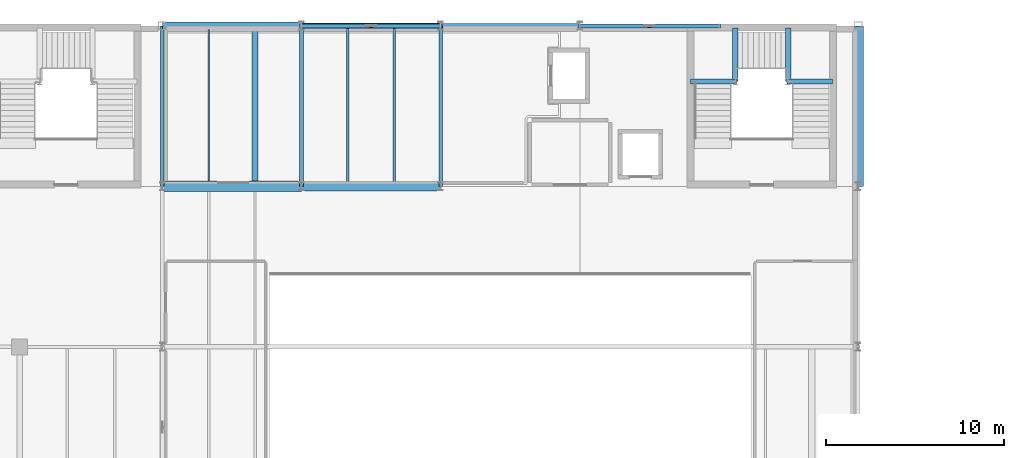
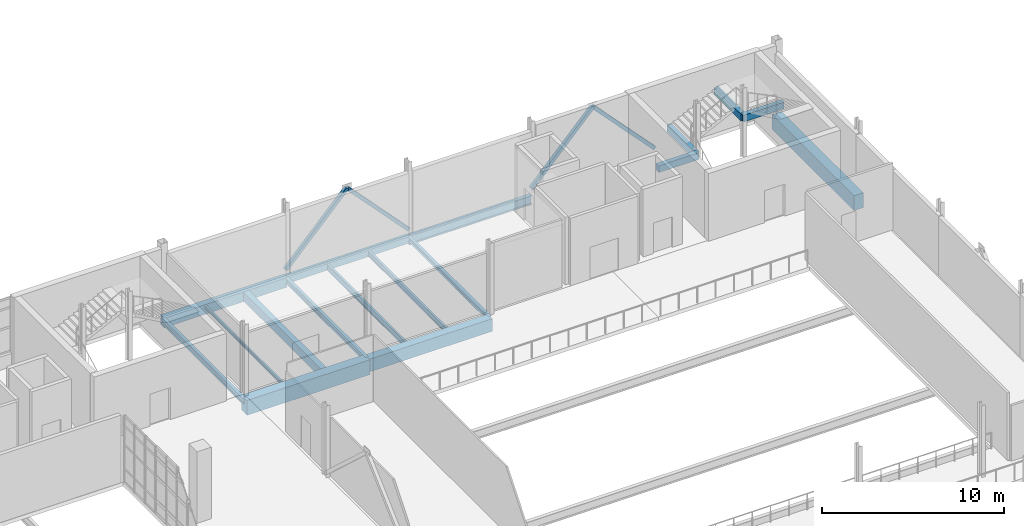
# One storey, part 48 of 100: 17 beams, 4 members.
"""IFC4 building model written with IfcOpenShell, lengths in metres."""

from ifc_helpers import new_model, si_unit, derived_unit, direction, frame, origin, origin_2d, place, context, subcontext, project, spatial, rectangle, hollow_rectangle, i_section, extrude, material, material_profile, profile_set, type_object, element, save


model = new_model("IFC4")

# Units and contexts
model_context = context("Model", 3, precision=1e-05, world=origin(), true_north=direction((0.0, 1.0)))
body_context = subcontext(model_context, "Body", "Model", "MODEL_VIEW")
ifc_project = project(units=[si_unit("LENGTHUNIT", "METRE"), si_unit("AREAUNIT", "SQUARE_METRE"), si_unit("VOLUMEUNIT", "CUBIC_METRE"), si_unit("PLANEANGLEUNIT", "RADIAN"), si_unit("MASSUNIT", "GRAM", prefix="KILO"), derived_unit("THERMALTRANSMITTANCEUNIT", [(si_unit("POWERUNIT", "WATT"), 1), (si_unit("LENGTHUNIT", "METRE"), -2), (si_unit("THERMODYNAMICTEMPERATUREUNIT", "KELVIN"), -1)])], contexts=[model_context])

# Site, building, storey
site_placement = place(None, origin())
site = spatial("IfcSite", under=ifc_project, at=site_placement, CompositionType="ELEMENT")
building_placement = place(site_placement, origin())
building = spatial("IfcBuilding", under=site, at=building_placement, Name="Nallur Shell Playhouse", CompositionType="ELEMENT")
storey_placement = place(building_placement, frame((0.0, 0.0, 10.199951171875)))
storey = spatial("IfcBuildingStorey", under=building, at=storey_placement, Name="L03", CompositionType="ELEMENT", Elevation=10.199951171875)

# Beams
ifc_material_1 = material(Name="Steel E250", Category="steel")
ifc_material_profile_1 = material_profile(ifc_material_1, i_section(OverallWidth=0.110107421875, OverallDepth=0.22509765625, WebThickness=0.006591796875, FlangeThickness=0.01171875, FilletRadius=0.011962890625, at=origin_2d()), Name="ISMB 225")
ifc_profile_set_1 = profile_set([ifc_material_profile_1], Name="Steel E250")
beam_type_1 = type_object("IfcBeamType", Name="BM-JST-ISMB225", PredefinedType="JOIST", material=ifc_profile_set_1)
beam_1_placement = place(storey_placement, frame((66.60009765625, 74.298095703125, -0.37255859375), z_axis=(0.0, 1.0, 0.0), x_axis=(-1.0, 0.0, 0.0)))
element("IfcBeam", 1, at=beam_1_placement, inside=storey, type_object=beam_type_1, Name="L03 secondary joist 8-J-731", PredefinedType="JOIST", context=body_context, shape_type="SweptSolid", body=[
    extrude(i_section(OverallWidth=0.110107421875, OverallDepth=0.22509765625, WebThickness=0.006591796875, FlangeThickness=0.01171875, FilletRadius=0.011962890625, at=origin_2d()), origin(), (0.0, 0.0, 1.0), 8.50390625),
])
ifc_material_profile_2 = material_profile(ifc_material_1, i_section(OverallWidth=0.139892578125, OverallDepth=0.35009765625, WebThickness=0.008056640625, FlangeThickness=0.01416015625, FilletRadius=0.013916015625, at=origin_2d()), Name="ISMB 350")
ifc_profile_set_2 = profile_set([ifc_material_profile_2], Name="Steel E250")
beam_type_2 = type_object("IfcBeamType", Name="BM-JST-ISMB350", PredefinedType="JOIST", material=ifc_profile_set_2)
beam_2_placement = place(storey_placement, frame((77.0, 74.248046875, -0.43505859375), z_axis=(0.0, 1.0, 0.0), x_axis=(-1.0, 0.0, 0.0)))
element("IfcBeam", 2, at=beam_2_placement, inside=storey, type_object=beam_type_2, Name="L03 secondary joist 9-J-734", PredefinedType="JOIST", context=body_context, shape_type="SweptSolid", body=[
    extrude(i_section(OverallWidth=0.139892578125, OverallDepth=0.35009765625, WebThickness=0.008056640625, FlangeThickness=0.01416015625, FilletRadius=0.013916015625, at=origin_2d()), origin(), (0.0, 0.0, 1.0), 8.60400390625),
])
ifc_material_profile_3 = material_profile(ifc_material_1, i_section(OverallWidth=0.139892578125, OverallDepth=0.39990234375, WebThickness=0.0087890625, FlangeThickness=0.01611328125, FilletRadius=0.013916015625, at=origin_2d()), Name="ISMB 400")
ifc_profile_set_3 = profile_set([ifc_material_profile_3], Name="Steel E250")
beam_type_3 = type_object("IfcBeamType", Name="BM-JST-ISMB400", PredefinedType="JOIST", material=ifc_profile_set_3)
beam_3_placement = place(storey_placement, frame((74.39990234375, 74.248046875, -0.4599609375), z_axis=(0.0, 1.0, 0.0), x_axis=(-1.0, 0.0, 0.0)))
element("IfcBeam", 3, at=beam_3_placement, inside=storey, type_object=beam_type_3, Name="L03 secondary joist 9-J-733", PredefinedType="JOIST", context=body_context, shape_type="SweptSolid", body=[
    extrude(i_section(OverallWidth=0.139892578125, OverallDepth=0.39990234375, WebThickness=0.0087890625, FlangeThickness=0.01611328125, FilletRadius=0.013916015625, at=origin_2d()), origin(), (0.0, 0.0, 1.0), 8.60400390625),
])
ifc_material_2 = material(Name="Concrete M30", Category="concrete")
ifc_material_profile_4 = material_profile(ifc_material_2, rectangle(XDim=0.35009765625, YDim=0.60009765625, at=origin_2d()), Name="RC 350x600")
ifc_profile_set_4 = profile_set([ifc_material_profile_4], Name="Concrete M30")
beam_type_4 = type_object("IfcBeamType", Name="BM-RC-350x600", PredefinedType="JOIST", material=ifc_profile_set_4)
beam_4_placement = place(storey_placement, frame((69.199951171875, 74.298095703125, -0.56005859375), z_axis=(0.0, 1.0, 0.0), x_axis=(-1.0, 0.0, 0.0)))
element("IfcBeam", 4, at=beam_4_placement, inside=storey, type_object=beam_type_4, Name="L03 secondary joist 8-J-732", PredefinedType="JOIST", context=body_context, shape_type="SweptSolid", body=[
    extrude(rectangle(XDim=0.35009765625, YDim=0.60009765625, at=origin_2d()), origin(), (0.0, 0.0, 1.0), 8.50390625),
])
ifc_material_3 = material(Name="Concrete M35", Category="concrete")
ifc_material_profile_5 = material_profile(ifc_material_3, rectangle(XDim=0.39990234375, YDim=0.64990234375, at=origin_2d()), Name="RC 400x650")
ifc_profile_set_5 = profile_set([ifc_material_profile_5], Name="Concrete M35")
beam_type_5 = type_object("IfcBeamType", Name="BM-RC-400x650", PredefinedType="BEAM", material=ifc_profile_set_5)
beam_5_placement = place(storey_placement, frame((64.0, 83.0, -0.5849609375), z_axis=(1.0, 0.0, 0.0), x_axis=(0.0, 1.0, 0.0)))
element("IfcBeam", 5, at=beam_5_placement, inside=storey, type_object=beam_type_5, Name="L03 girder X-K-623", PredefinedType="BEAM", context=body_context, shape_type="SweptSolid", body=[
    extrude(rectangle(XDim=0.39990234375, YDim=0.64990234375, at=origin_2d()), origin(), (0.0, 0.0, 1.0), 7.800048828125),
])
ifc_material_4 = material(Name="Concrete M40", Category="concrete")
ifc_material_profile_6 = material_profile(ifc_material_4, rectangle(XDim=0.5, YDim=0.85009765625, at=origin_2d()), Name="RC 500x850")
ifc_profile_set_6 = profile_set([ifc_material_profile_6], Name="Concrete M40")
beam_type_6 = type_object("IfcBeamType", Name="BM-RC-500x850", PredefinedType="BEAM", material=ifc_profile_set_6)
beam_6_placement = place(storey_placement, frame((71.800048828125, 74.0, -0.68505859375), z_axis=(1.0, 0.0, 0.0), x_axis=(0.0, 1.0, 0.0)))
element("IfcBeam", 6, at=beam_6_placement, inside=storey, type_object=beam_type_6, Name="L03 girder X-J-621", PredefinedType="BEAM", context=body_context, shape_type="SweptSolid", body=[
    extrude(rectangle(XDim=0.5, YDim=0.85009765625, at=origin_2d()), origin(), (0.0, 0.0, 1.0), 7.800048828125),
])
ifc_material_profile_7 = material_profile(ifc_material_4, rectangle(XDim=0.60009765625, YDim=1.0, at=origin_2d()), Name="RC 600x1000")
ifc_profile_set_7 = profile_set([ifc_material_profile_7], Name="Concrete M40")
beam_type_7 = type_object("IfcBeamType", Name="BM-RC-600x1000", PredefinedType="BEAM", material=ifc_profile_set_7)
beam_7_placement = place(storey_placement, frame((64.0, 74.0, -0.760009765625), z_axis=(1.0, 0.0, 0.0), x_axis=(0.0, 1.0, 0.0)))
element("IfcBeam", 7, at=beam_7_placement, inside=storey, type_object=beam_type_7, Name="L03 girder X-J-620", PredefinedType="BEAM", context=body_context, shape_type="SweptSolid", body=[
    extrude(rectangle(XDim=0.60009765625, YDim=1.0, at=origin_2d()), origin(), (0.0, 0.0, 1.0), 7.800048828125),
])
beam_8_placement = place(storey_placement, frame((103.0, 74.0, -0.760009765625), z_axis=(0.0, 1.0, 0.0), x_axis=(-1.0, 0.0, 0.0)))
element("IfcBeam", 8, at=beam_8_placement, inside=storey, type_object=beam_type_7, Name="L03 girder Y-13-668", PredefinedType="BEAM", context=body_context, shape_type="SweptSolid", body=[
    extrude(rectangle(XDim=0.60009765625, YDim=1.0, at=origin_2d()), origin(), (0.0, 0.0, 1.0), 9.0),
])
ifc_material_profile_8 = material_profile(ifc_material_3, rectangle(XDim=0.300048828125, YDim=0.449951171875, at=origin_2d()), Name="RC 300x450")
ifc_profile_set_8 = profile_set([ifc_material_profile_8], Name="Concrete M35")
beam_type_8 = type_object("IfcBeamType", Name="BM-SPN-300x450", PredefinedType="SPANDREL", material=ifc_profile_set_8)
beam_9_placement = place(storey_placement, frame((71.800048828125, 83.0, -0.48486328125), z_axis=(1.0, 0.0, 0.0), x_axis=(0.0, 1.0, 0.0)))
element("IfcBeam", 9, at=beam_9_placement, inside=storey, type_object=beam_type_8, Name="L03 girder X-K-624", PredefinedType="SPANDREL", context=body_context, shape_type="SweptSolid", body=[
    extrude(rectangle(XDim=0.300048828125, YDim=0.449951171875, at=origin_2d()), origin(), (0.0, 0.0, 1.0), 7.800048828125),
])
beam_10_placement = place(storey_placement, frame((93.6201171875, 79.8798828125, 1.22509765625), z_axis=(1.0, 0.0, 0.0), x_axis=(0.0, 1.0, 0.0)))
element("IfcBeam", 10, at=beam_10_placement, inside=storey, type_object=beam_type_8, Name="Stair ST-04-L03 L1 south bearer beam", PredefinedType="SPANDREL", context=body_context, shape_type="SweptSolid", body=[
    extrude(rectangle(XDim=0.300048828125, YDim=0.449951171875, at=origin_2d()), origin(), (0.0, 0.0, 1.0), 2.559814453125),
])
beam_11_placement = place(storey_placement, frame((96.1201171875, 79.8798828125, 1.22509765625), z_axis=(0.0, 1.0, 0.0), x_axis=(-1.0, 0.0, 0.0)))
element("IfcBeam", 11, at=beam_11_placement, inside=storey, type_object=beam_type_8, Name="Stair ST-04-L03 L1 east bearer beam", PredefinedType="SPANDREL", context=body_context, shape_type="SweptSolid", body=[
    extrude(rectangle(XDim=0.300048828125, YDim=0.449951171875, at=origin_2d()), origin(), (0.0, 0.0, 1.0), 3.0),
])
beam_12_placement = place(storey_placement, frame((99.02001953125, 79.8798828125, 2.72509765625), z_axis=(1.0, 0.0, 0.0), x_axis=(0.0, 1.0, 0.0)))
element("IfcBeam", 12, at=beam_12_placement, inside=storey, type_object=beam_type_8, Name="Stair ST-04-L03 L2 south bearer beam", PredefinedType="SPANDREL", context=body_context, shape_type="SweptSolid", body=[
    extrude(rectangle(XDim=0.300048828125, YDim=0.449951171875, at=origin_2d()), origin(), (0.0, 0.0, 1.0), 2.56005859375),
])
beam_13_placement = place(storey_placement, frame((99.080078125, 79.8798828125, 2.72509765625), z_axis=(0.0, 1.0, 0.0), x_axis=(-1.0, 0.0, 0.0)))
element("IfcBeam", 13, at=beam_13_placement, inside=storey, type_object=beam_type_8, Name="Stair ST-04-L03 L2 west bearer beam", PredefinedType="SPANDREL", context=body_context, shape_type="SweptSolid", body=[
    extrude(rectangle(XDim=0.300048828125, YDim=0.449951171875, at=origin_2d()), origin(), (0.0, 0.0, 1.0), 3.0),
])
ifc_material_profile_9 = material_profile(ifc_material_1, i_section(OverallWidth=0.199951171875, OverallDepth=0.300048828125, WebThickness=0.00732421875, FlangeThickness=0.010009765625, FilletRadius=0.010986328125, at=origin_2d()), Name="ISWB 300")
ifc_profile_set_9 = profile_set([ifc_material_profile_9], Name="Steel E250")
beam_type_9 = type_object("IfcBeamType", Name="BM-ST-ISWB300", PredefinedType="BEAM", material=ifc_profile_set_9)
beam_14_placement = place(storey_placement, frame((79.60009765625, 74.0, -0.409912109375), z_axis=(0.0, 1.0, 0.0), x_axis=(-1.0, 0.0, 0.0)))
element("IfcBeam", 14, at=beam_14_placement, inside=storey, type_object=beam_type_9, Name="L03 girder Y-10-663", PredefinedType="BEAM", context=body_context, shape_type="SweptSolid", body=[
    extrude(i_section(OverallWidth=0.199951171875, OverallDepth=0.300048828125, WebThickness=0.00732421875, FlangeThickness=0.010009765625, FilletRadius=0.010986328125, at=origin_2d()), origin(), (0.0, 0.0, 1.0), 9.0),
])
ifc_material_5 = material(Name="Steel E350", Category="steel")
ifc_material_profile_10 = material_profile(ifc_material_5, i_section(OverallWidth=0.199951171875, OverallDepth=0.35009765625, WebThickness=0.008056640625, FlangeThickness=0.011474609375, FilletRadius=0.011962890625, at=origin_2d()), Name="ISWB 350")
ifc_profile_set_10 = profile_set([ifc_material_profile_10], Name="Steel E350")
beam_type_10 = type_object("IfcBeamType", Name="BM-ST-ISWB350", PredefinedType="BEAM", material=ifc_profile_set_10)
beam_15_placement = place(storey_placement, frame((71.800048828125, 74.0, -0.43505859375), z_axis=(0.0, 1.0, 0.0), x_axis=(-1.0, 0.0, 0.0)))
element("IfcBeam", 15, at=beam_15_placement, inside=storey, type_object=beam_type_10, Name="L03 girder Y-9-662", PredefinedType="BEAM", context=body_context, shape_type="SweptSolid", body=[
    extrude(i_section(OverallWidth=0.199951171875, OverallDepth=0.35009765625, WebThickness=0.008056640625, FlangeThickness=0.011474609375, FilletRadius=0.011962890625, at=origin_2d()), origin(), (0.0, 0.0, 1.0), 9.0),
])
ifc_material_profile_11 = material_profile(ifc_material_5, i_section(OverallWidth=0.199951171875, OverallDepth=0.39990234375, WebThickness=0.008544921875, FlangeThickness=0.012939453125, FilletRadius=0.012939453125, at=origin_2d()), Name="ISWB 400")
ifc_profile_set_11 = profile_set([ifc_material_profile_11], Name="Steel E350")
beam_type_11 = type_object("IfcBeamType", Name="BM-ST-ISWB400", PredefinedType="BEAM", material=ifc_profile_set_11)
beam_16_placement = place(storey_placement, frame((64.0, 74.0, -0.4599609375), z_axis=(0.0, 1.0, 0.0), x_axis=(-1.0, 0.0, 0.0)))
element("IfcBeam", 16, at=beam_16_placement, inside=storey, type_object=beam_type_11, Name="L03 girder Y-8-661", PredefinedType="BEAM", context=body_context, shape_type="SweptSolid", body=[
    extrude(i_section(OverallWidth=0.199951171875, OverallDepth=0.39990234375, WebThickness=0.008544921875, FlangeThickness=0.012939453125, FilletRadius=0.012939453125, at=origin_2d()), origin(), (0.0, 0.0, 1.0), 9.0),
])
ifc_material_profile_12 = material_profile(ifc_material_5, i_section(OverallWidth=0.25, OverallDepth=0.60009765625, WebThickness=0.01171875, FlangeThickness=0.023681640625, FilletRadius=0.01708984375, at=origin_2d()), Name="ISWB 600")
ifc_profile_set_12 = profile_set([ifc_material_profile_12], Name="Steel E350")
beam_type_12 = type_object("IfcBeamType", Name="BM-ST-ISWB600", PredefinedType="BEAM", material=ifc_profile_set_12)
beam_17_placement = place(storey_placement, frame((79.60009765625, 83.0, -0.56005859375), z_axis=(1.0, 0.0, 0.0), x_axis=(0.0, 1.0, 0.0)))
element("IfcBeam", 17, at=beam_17_placement, inside=storey, type_object=beam_type_12, Name="L03 girder X-K-625", PredefinedType="BEAM", context=body_context, shape_type="SweptSolid", body=[
    extrude(i_section(OverallWidth=0.25, OverallDepth=0.60009765625, WebThickness=0.01171875, FlangeThickness=0.023681640625, FilletRadius=0.01708984375, at=origin_2d()), origin(), (0.0, 0.0, 1.0), 7.7998046875),
])

# Members
ifc_material_profile_13 = material_profile(ifc_material_5, hollow_rectangle(XDim=0.219970703125, YDim=0.219970703125, WallThickness=0.011962890625, at=origin_2d()), Name="SHS 220x220x12")
ifc_profile_set_13 = profile_set([ifc_material_profile_13], Name="Steel E350")
member_type = type_object("IfcMemberType", Name="MB-FT-BRACE2", PredefinedType="BRACE", material=ifc_profile_set_13)
member_1_placement = place(storey_placement, frame((71.800048828125, 83.0, 0.150146484375), z_axis=(0.685694014185, 0.0, 0.72788990851), x_axis=(0.0, 1.0, 0.0)))
element("IfcMember", 18, at=member_1_placement, inside=storey, type_object=member_type, Name="Stage fly tower concentric brace BR-FT-L03-021", PredefinedType="BRACE", context=body_context, shape_type="SweptSolid", body=[
    extrude(hollow_rectangle(XDim=0.219970703125, YDim=0.219970703125, WallThickness=0.011962890625, at=origin_2d()), origin(), (0.0, 0.0, 1.0), 5.6875),
])
for number, where, z_axis, x_axis, name in (
    (19, (79.60009765625, 83.0, 0.150146484375), (-0.685716756198, 0.0, 0.727868484185), (0.0, -1.0, 0.0), "Stage fly tower concentric brace BR-FT-L03-022"),
    (20, (87.39990234375, 83.0, 0.150146484375), (0.685716756198, 0.0, 0.727868484185), (0.0, 1.0, 0.0), "Stage fly tower concentric brace BR-FT-L03-023"),
):
    element("IfcMember", number, at=place(storey_placement, frame(where, z_axis=z_axis, x_axis=x_axis)), inside=storey, type_object=member_type, Name=name, PredefinedType="BRACE", context=body_context, shape_type="SweptSolid", body=[
        extrude(hollow_rectangle(XDim=0.219970703125, YDim=0.219970703125, WallThickness=0.011962890625, at=origin_2d()), origin(), (0.0, 0.0, 1.0), 5.687744140625),
    ])
member_2_placement = place(storey_placement, frame((95.199951171875, 83.0, 0.150146484375), z_axis=(-0.685694014185, 0.0, 0.72788990851), x_axis=(0.0, -1.0, 0.0)))
element("IfcMember", 21, at=member_2_placement, inside=storey, type_object=member_type, Name="Stage fly tower concentric brace BR-FT-L03-024", PredefinedType="BRACE", context=body_context, shape_type="SweptSolid", body=[
    extrude(hollow_rectangle(XDim=0.219970703125, YDim=0.219970703125, WallThickness=0.011962890625, at=origin_2d()), origin(), (0.0, 0.0, 1.0), 5.6875),
])

save(model, "model.ifc")
